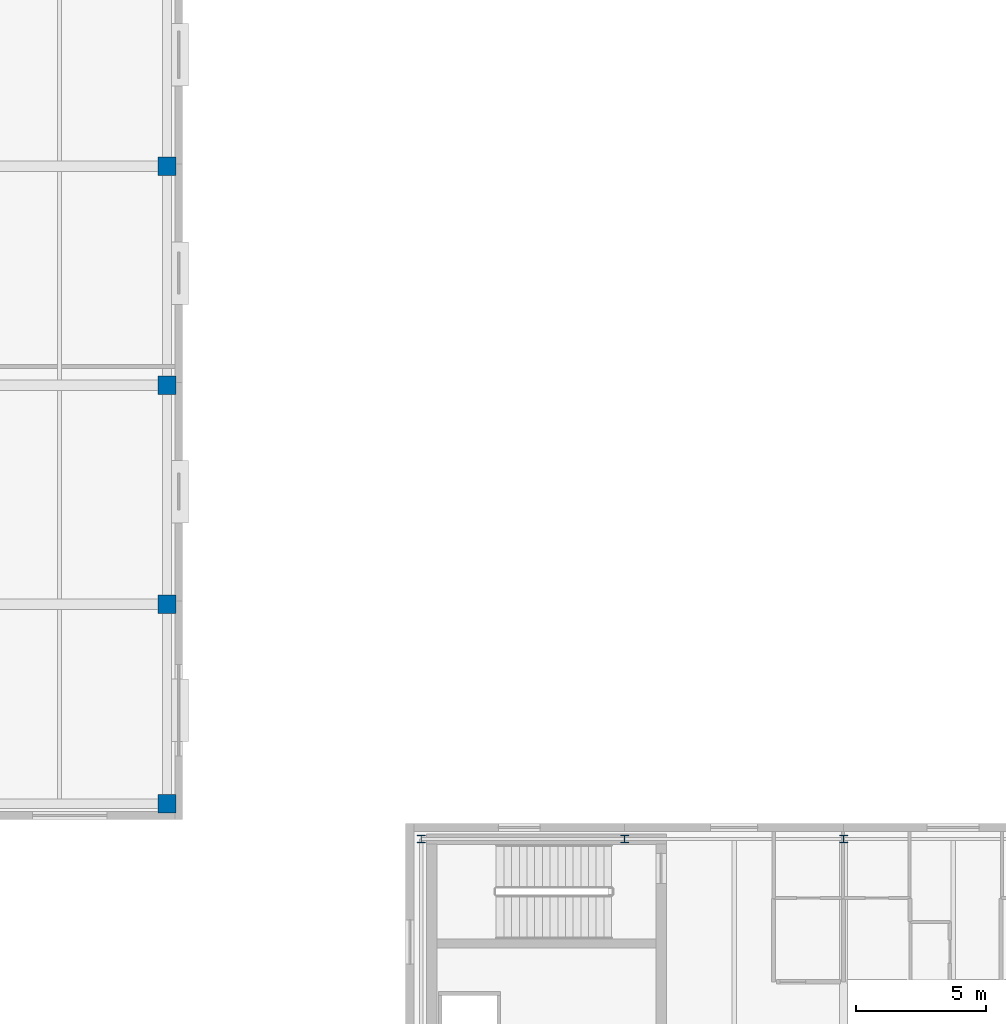
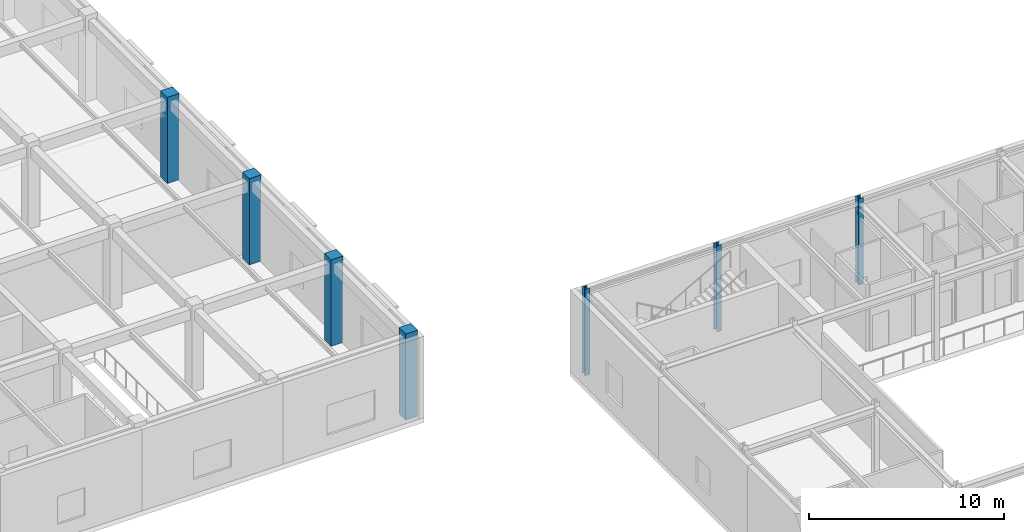
# One storey, part 6 of 139: 7 columns.
"""IFC4 building model written with IfcOpenShell, lengths in metres."""

from ifc_helpers import new_model, si_unit, direction, frame, origin, origin_2d, place, context, subcontext, project, spatial, rectangle, i_section, extrude, material, material_profile, profile_set, type_object, element, save


model = new_model("IFC4")

# Units and contexts
model_context = context("Model", 3, precision=1e-05, world=origin(), true_north=direction((0.0, 1.0)))
body_context = subcontext(model_context, "Body", "Model", "MODEL_VIEW")
ifc_project = project(units=[si_unit("LENGTHUNIT", "METRE"), si_unit("AREAUNIT", "SQUARE_METRE"), si_unit("VOLUMEUNIT", "CUBIC_METRE"), si_unit("PLANEANGLEUNIT", "RADIAN"), si_unit("MASSUNIT", "GRAM", prefix="KILO")], contexts=[model_context])

# Site, building, storey
site_placement = place(None, origin())
site = spatial("IfcSite", under=ifc_project, at=site_placement, CompositionType="ELEMENT")
building_placement = place(site_placement, origin())
building = spatial("IfcBuilding", under=site, at=building_placement, Name="Zayran Congress Hotel", CompositionType="ELEMENT")
storey_placement = place(building_placement, frame((0.0, 0.0, 5.39990234375)))
storey = spatial("IfcBuildingStorey", under=building, at=storey_placement, Name="L01", CompositionType="ELEMENT", Elevation=5.39990234375)

# Columns
ifc_material_1 = material(Name="Concrete C40/50", Category="concrete")
ifc_material_profile_1 = material_profile(ifc_material_1, rectangle(XDim=0.699951171875, YDim=0.699951171875, at=origin_2d()), Name="RC 700x700")
ifc_profile_set_1 = profile_set([ifc_material_profile_1], Name="Concrete C40/50")
column_type_1 = type_object("IfcColumnType", Name="TP-CL-03", PredefinedType="COLUMN", material=ifc_profile_set_1)
for number, where, z_axis, x_axis, name in (
    (1, (142.050048828125, 43.14990234375, 0.0), (0.0, 0.0, 1.0), (1.0, 0.0, 0.0), "COL-V4-L01-0784"),
    (2, (142.050048828125, 50.800048828125, 0.0), (0.0, 0.0, 1.0), (1.0, 0.0, 0.0), "COL-V4-L01-0785"),
    (3, (142.050048828125, 59.199951171875, 0.0), (0.0, 0.0, 1.0), (1.0, 0.0, 0.0), "COL-V4-L01-0786"),
    (4, (142.050048828125, 67.60009765625, 0.0), (0.0, 0.0, 1.0), (1.0, 0.0, 0.0), "COL-V4-L01-0787"),
):
    element("IfcColumn", number, at=place(storey_placement, frame(where, z_axis=z_axis, x_axis=x_axis)), inside=storey, type_object=column_type_1, Name=name, PredefinedType="COLUMN", context=body_context, shape_type="SweptSolid", body=[
        extrude(rectangle(XDim=0.699951171875, YDim=0.699951171875, at=origin_2d()), origin(), (0.0, 0.0, 1.0), 5.400146484375),
    ])
ifc_material_2 = material(Name="Steel S355", Category="steel")
ifc_material_profile_2 = material_profile(ifc_material_2, i_section(OverallWidth=0.300048828125, OverallDepth=0.300048828125, WebThickness=0.010986328125, FlangeThickness=0.01904296875, at=origin_2d()), Name="HEB 300")
ifc_profile_set_2 = profile_set([ifc_material_profile_2], Name="Steel S355")
column_type_2 = type_object("IfcColumnType", Name="TP-CL-08", PredefinedType="COLUMN", material=ifc_profile_set_2)
for number, where, z_axis, x_axis, name in (
    (5, (151.800048828125, 41.800048828125, 0.0), (0.0, 0.0, 1.0), (1.0, 0.0, 0.0), "COL-V3-L01-0651"),
    (6, (159.60009765625, 41.800048828125, 0.0), (0.0, 0.0, 1.0), (1.0, 0.0, 0.0), "COL-V3-L01-0657"),
    (7, (168.0, 41.800048828125, 0.0), (0.0, 0.0, 1.0), (1.0, 0.0, 0.0), "COL-V3-L01-0662"),
):
    element("IfcColumn", number, at=place(storey_placement, frame(where, z_axis=z_axis, x_axis=x_axis)), inside=storey, type_object=column_type_2, Name=name, PredefinedType="COLUMN", context=body_context, shape_type="SweptSolid", body=[
        extrude(i_section(OverallWidth=0.300048828125, OverallDepth=0.300048828125, WebThickness=0.010986328125, FlangeThickness=0.01904296875, at=origin_2d()), origin(), (0.0, 0.0, 1.0), 5.400146484375),
    ])

save(model, "model.ifc")
